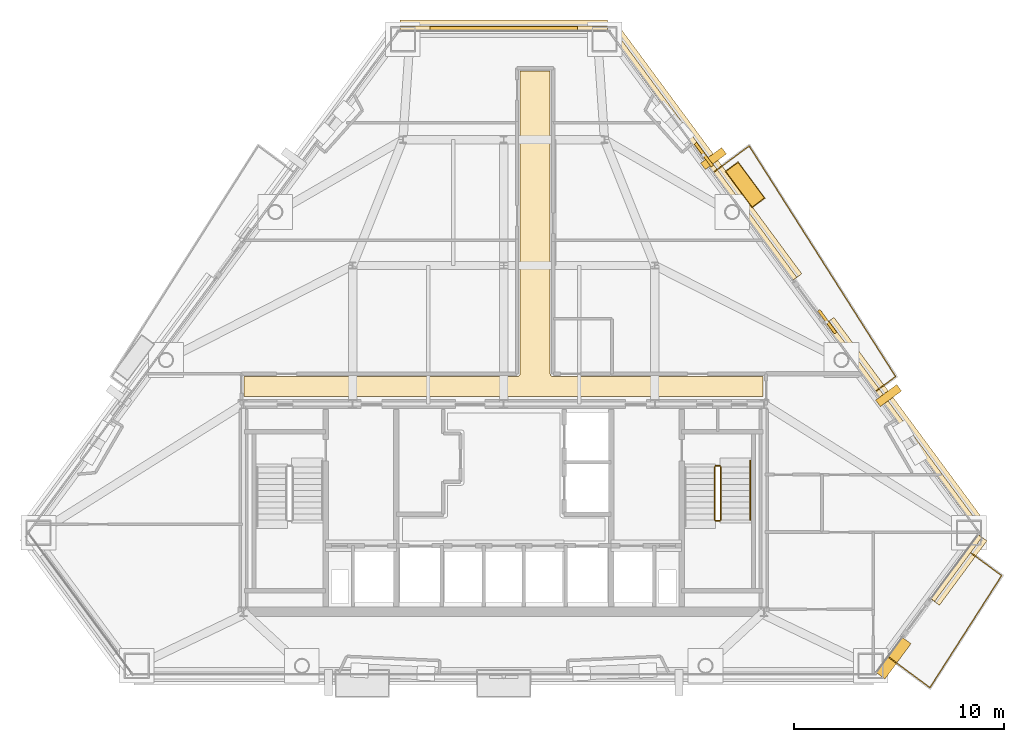
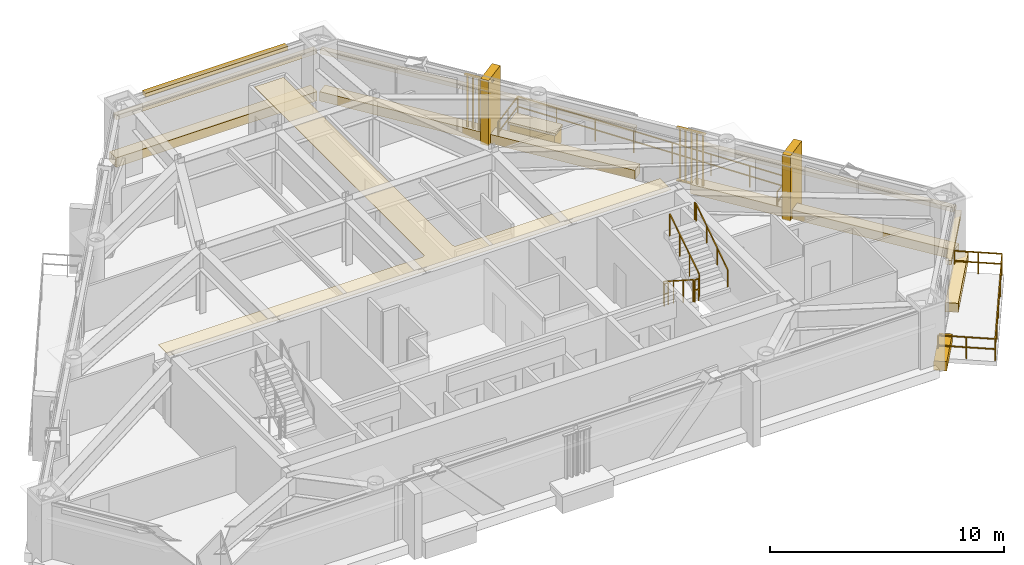
# One storey, part 11 of 11: 14 coverings, 7 railings, 3 shading devices.
"""IFC4 building model written with IfcOpenShell, lengths in metres."""

from ifc_helpers import new_model, si_unit, direction, frame, origin, origin_2d, place, context, subcontext, project, spatial, polyline, rectangle, outline, extrude, source, transform, mapped, material, layer, layer_set, type_object, type_shapes, element, save


model = new_model("IFC4")

# Units and contexts
model_context = context("Model", 3, precision=1e-05, world=origin(), true_north=direction((0.0, 1.0)))
body_context = subcontext(model_context, "Body", "Model", "MODEL_VIEW")
ifc_project = project(units=[si_unit("LENGTHUNIT", "METRE"), si_unit("AREAUNIT", "SQUARE_METRE"), si_unit("VOLUMEUNIT", "CUBIC_METRE"), si_unit("PLANEANGLEUNIT", "RADIAN"), si_unit("MASSUNIT", "GRAM", prefix="KILO")], contexts=[model_context])

# Site, building, storey
site_placement = place(None, origin())
site = spatial("IfcSite", under=ifc_project, at=site_placement, CompositionType="ELEMENT")
building_placement = place(site_placement, origin())
building = spatial("IfcBuilding", under=site, at=building_placement, Name="Talgorran Terracotta Tower", CompositionType="ELEMENT")
storey_placement = place(building_placement, frame((0.0, 0.0, 154.5)))
storey = spatial("IfcBuildingStorey", under=building, at=storey_placement, Name="L40", CompositionType="ELEMENT", Elevation=154.5)

# Coverings
ifc_material_1 = material(Name="Kiln-Fired Terracotta Ochre Ceramic", Category="masonry")
ifc_layer_1 = layer(ifc_material_1, 0.179931640625, Name="COV_BAGUETTE_TERRACOTTA_SCREEN")
ifc_layer_set_1 = layer_set([ifc_layer_1], Name="Kiln-Fired Terracotta Ochre Ceramic")
covering_type_1 = type_object("IfcCoveringType", Name="COV_BAGUETTE_TERRACOTTA_SCREEN", PredefinedType="CLADDING", material=ifc_layer_set_1)
covering_1_placement = place(storey_placement, frame((21.553955078125, -12.00439453125, 2.41015625), z_axis=(0.0, 0.0, 1.0), x_axis=(0.594078945078, 0.804406742274, 0.0)))
element("IfcCovering", 1, at=covering_1_placement, inside=storey, type_object=covering_type_1, Name="L40 Terracotta Baguette Solar Screen Assembly F31", PredefinedType="CLADDING", context=body_context, shape_type="SweptSolid", body=[
    extrude(rectangle(XDim=3.79248046875, YDim=0.260009765625, at=origin_2d()), origin(), (0.0, 0.0, 1.0), 0.219970703125),
])
covering_2_placement = place(storey_placement, frame((19.041748046875, -5.256103515625, 2.41015625), z_axis=(0.0, 0.0, 1.0), x_axis=(-0.594078945078, 0.804406742274, 0.0)))
element("IfcCovering", 2, at=covering_2_placement, inside=storey, type_object=covering_type_1, Name="L40 Terracotta Baguette Solar Screen Assembly F40", PredefinedType="CLADDING", context=body_context, shape_type="SweptSolid", body=[
    extrude(rectangle(XDim=12.25048828125, YDim=0.260009765625, at=origin_2d()), origin(), (0.0, 0.0, 1.0), 0.219970703125),
])
covering_3_placement = place(storey_placement, frame((9.506103515625, 7.65576171875, 2.41015625), z_axis=(0.0, 0.0, 1.0), x_axis=(-0.594078945078, 0.804406742274, 0.0)))
element("IfcCovering", 3, at=covering_3_placement, inside=storey, type_object=covering_type_1, Name="L40 Terracotta Baguette Solar Screen Assembly F41", PredefinedType="CLADDING", context=body_context, shape_type="SweptSolid", body=[
    extrude(rectangle(XDim=14.652099609375, YDim=0.260009765625, at=origin_2d()), origin(), (0.0, 0.0, 1.0), 0.219970703125),
])
covering_4_placement = place(storey_placement, frame((0.0, 13.677978515625, 2.41015625), z_axis=(0.0, 0.0, 1.0), x_axis=(-1.0, 0.0, 0.0)))
element("IfcCovering", 4, at=covering_4_placement, inside=storey, type_object=covering_type_1, Name="L40 Terracotta Baguette Solar Screen Assembly F4", PredefinedType="CLADDING", context=body_context, shape_type="SweptSolid", body=[
    extrude(rectangle(XDim=9.8759765625, YDim=0.260009765625, at=origin_2d()), origin(), (0.0, 0.0, 1.0), 0.219970703125),
])
ifc_material_2 = material(Name="Mineral Fibre Acoustic Tile")
ifc_layer_2 = layer(ifc_material_2, 0.02490234375, Name="COV_CEIL_ACOUSTIC")
ifc_layer_set_2 = layer_set([ifc_layer_2], Name="Mineral Fibre Acoustic Tile")
covering_type_2 = type_object("IfcCoveringType", Name="COV_CEIL_ACOUSTIC", PredefinedType="CEILING", material=ifc_layer_set_2)
covering_5_placement = place(storey_placement, frame((0.0, 0.0, 3.260009765625)))
element("IfcCovering", 5, at=covering_5_placement, inside=storey, type_object=covering_type_2, Name="CEIL-L40-2", PredefinedType="CEILING", context=body_context, shape_type="SweptSolid", body=[
    extrude(outline(polyline([(-12.364990234375, -2.885009765625), (0.64990234375, -2.885009765625), (0.66162109375, -2.884521484375), (0.67333984375, -2.8828125), (0.6845703125, -2.8798828125), (0.69287109375, -2.87744140625), (0.7041015625, -2.87353515625), (0.714599609375, -2.868408203125), (0.724853515625, -2.8623046875), (0.734375, -2.85546875), (0.742919921875, -2.847412109375), (0.7509765625, -2.8388671875), (0.756591796875, -2.83203125), (0.763671875, -2.822509765625), (0.769775390625, -2.8125), (0.774658203125, -2.8017578125), (0.77880859375, -2.79052734375), (0.781494140625, -2.779296875), (0.783203125, -2.767578125), (0.783935546875, -2.755615234375), (0.784912109375, 11.6650390625), (2.215087890625, 11.6650390625), (2.215087890625, -2.75), (2.215576171875, -2.76171875), (2.21728515625, -2.773193359375), (2.22021484375, -2.78466796875), (2.22265625, -2.79296875), (2.2265625, -2.803955078125), (2.231689453125, -2.814697265625), (2.237548828125, -2.82470703125), (2.24462890625, -2.834228515625), (2.25244140625, -2.843017578125), (2.26123046875, -2.850830078125), (2.26806640625, -2.8564453125), (2.277587890625, -2.863525390625), (2.28759765625, -2.86962890625), (2.29833984375, -2.874755859375), (2.309326171875, -2.878662109375), (2.32080078125, -2.881591796875), (2.33251953125, -2.88330078125), (2.34423828125, -2.8837890625), (12.364990234375, -2.885009765625), (12.364990234375, -3.830078125), (12.169921875, -3.830078125), (12.158203125, -3.83056640625), (12.146484375, -3.832275390625), (12.13525390625, -3.835205078125), (12.1240234375, -3.839111328125), (12.11328125, -3.84423828125), (12.112060546875, -3.844970703125), (7.432861328125, -3.844970703125), (6.968017578125, -3.843017578125), (6.967529296875, -3.843017578125), (0.232666015625, -3.844970703125), (-0.23193359375, -3.843017578125), (-0.232421875, -3.843017578125), (-6.96728515625, -3.844970703125), (-7.431884765625, -3.843017578125), (-7.4326171875, -3.843017578125), (-12.112060546875, -3.844970703125), (-12.11328125, -3.84423828125), (-12.1240234375, -3.839111328125), (-12.13525390625, -3.835205078125), (-12.146484375, -3.832275390625), (-12.158203125, -3.83056640625), (-12.169921875, -3.830078125), (-12.364990234375, -3.830078125), (-12.364990234375, -2.885009765625)])), origin(), (0.0, 0.0, 1.0), 0.02001953125),
])
ifc_material_3 = material(Name="Honed Limestone and Terracotta Planter", Category="masonry")
ifc_layer_3 = layer(ifc_material_3, 0.1201171875, Name="COV_PLANTER_BOX")
ifc_layer_set_3 = layer_set([ifc_layer_3], Name="Honed Limestone and Terracotta Planter")
covering_type_3 = type_object("IfcCoveringType", Name="COV_PLANTER_BOX", PredefinedType="CLADDING", material=ifc_layer_set_3)
covering_6_placement = place(storey_placement, frame((11.502197265625, 6.248779296875, -0.02001953125), z_axis=(0.0, 0.0, 1.0), x_axis=(-0.594078945078, 0.804406742274, 0.0)))
element("IfcCovering", 6, at=covering_6_placement, inside=storey, type_object=covering_type_3, Name="L40 Staggered Balcony Planter Box BAL-NE", PredefinedType="CLADDING", context=body_context, shape_type="SweptSolid", body=[
    extrude(rectangle(XDim=2.10009765625, YDim=0.719970703125, at=origin_2d()), origin(), (0.0, 0.0, 1.0), 0.860107421875),
])
ifc_material_4 = material(Name="Kiln-Fired Terracotta Planter Rim", Category="masonry")
ifc_layer_4 = layer(ifc_material_4, 0.10009765625, Name="COV_PLANTER_RIM")
ifc_layer_set_4 = layer_set([ifc_layer_4], Name="Kiln-Fired Terracotta Planter Rim")
covering_type_4 = type_object("IfcCoveringType", Name="COV_PLANTER_RIM", PredefinedType="CLADDING", material=ifc_layer_set_4)
covering_7_placement = place(storey_placement, frame((11.502197265625, 6.248779296875, 0.800048828125), z_axis=(0.0, 0.0, 1.0), x_axis=(-0.594078945078, 0.804406742274, 0.0)))
element("IfcCovering", 7, at=covering_7_placement, inside=storey, type_object=covering_type_4, Name="L40 Balcony Planter Terracotta Rim BAL-NE", PredefinedType="CLADDING", context=body_context, shape_type="SweptSolid", body=[
    extrude(rectangle(XDim=2.179931640625, YDim=0.780029296875, at=origin_2d()), origin(), (0.0, 0.0, 1.0), 0.1201171875),
])
ifc_material_5 = material(Name="Honed Limestone Cladding", Category="masonry")
ifc_layer_5 = layer(ifc_material_5, 0.094970703125, Name="COV_PORTAL_LIME")
ifc_layer_set_5 = layer_set([ifc_layer_5], Name="Honed Limestone Cladding")
covering_type_5 = type_object("IfcCoveringType", Name="COV_PORTAL_LIME", PredefinedType="CLADDING", material=ifc_layer_set_5)
covering_8_placement = place(storey_placement, frame((18.558837890625, -16.2958984375, -0.0400390625), z_axis=(0.0, 0.0, 1.0), x_axis=(0.594064905441, 0.804417110785, 0.0)))
element("IfcCovering", 8, at=covering_8_placement, inside=storey, type_object=covering_type_5, Name="L40 Striped Postmodern Portal Cladding Band F30", PredefinedType="CLADDING", context=body_context, shape_type="SweptSolid", body=[
    extrude(rectangle(XDim=2.090087890625, YDim=0.56005859375, at=origin_2d()), origin(), (0.0, 0.0, 1.0), 0.47998046875),
])
covering_9_placement = place(storey_placement, frame((21.66650390625, -12.087646484375, -0.0400390625), z_axis=(0.0, 0.0, 1.0), x_axis=(0.594078945078, 0.804406742274, 0.0)))
element("IfcCovering", 9, at=covering_9_placement, inside=storey, type_object=covering_type_5, Name="L40 Striped Postmodern Portal Cladding Band F31", PredefinedType="CLADDING", context=body_context, shape_type="SweptSolid", body=[
    extrude(rectangle(XDim=3.8125, YDim=0.56005859375, at=origin_2d()), origin(), (0.0, 0.0, 1.0), 0.47998046875),
])
covering_10_placement = place(storey_placement, frame((19.154296875, -5.1728515625, -0.0400390625), z_axis=(0.0, 0.0, 1.0), x_axis=(-0.594078945078, 0.804406742274, 0.0)))
element("IfcCovering", 10, at=covering_10_placement, inside=storey, type_object=covering_type_5, Name="L40 Striped Postmodern Portal Cladding Band F40", PredefinedType="CLADDING", context=body_context, shape_type="SweptSolid", body=[
    extrude(rectangle(XDim=12.2705078125, YDim=0.56005859375, at=origin_2d()), origin(), (0.0, 0.0, 1.0), 0.47998046875),
])
covering_11_placement = place(storey_placement, frame((9.61865234375, 7.73876953125, -0.0400390625), z_axis=(0.0, 0.0, 1.0), x_axis=(-0.594078945078, 0.804406742274, 0.0)))
element("IfcCovering", 11, at=covering_11_placement, inside=storey, type_object=covering_type_5, Name="L40 Striped Postmodern Portal Cladding Band F41", PredefinedType="CLADDING", context=body_context, shape_type="SweptSolid", body=[
    extrude(rectangle(XDim=14.672119140625, YDim=0.56005859375, at=origin_2d()), origin(), (0.0, 0.0, 1.0), 0.47998046875),
])
covering_12_placement = place(storey_placement, frame((0.0, 13.81787109375, -0.0400390625), z_axis=(0.0, 0.0, 1.0), x_axis=(-1.0, 0.0, 0.0)))
element("IfcCovering", 12, at=covering_12_placement, inside=storey, type_object=covering_type_5, Name="L40 Striped Postmodern Portal Cladding Band F4", PredefinedType="CLADDING", context=body_context, shape_type="SweptSolid", body=[
    extrude(rectangle(XDim=9.89599609375, YDim=0.56005859375, at=origin_2d()), origin(), (0.0, 0.0, 1.0), 0.47998046875),
])
covering_13_placement = place(storey_placement, frame((9.99658203125, 7.49658203125, -0.050048828125), z_axis=(0.0, 0.0, 1.0), x_axis=(-0.594078945078, 0.804406742274, 0.0)))
element("IfcCovering", 13, at=covering_13_placement, inside=storey, type_object=covering_type_5, Name="L40 White Striped Portal Fin F3-2", PredefinedType="CLADDING", context=body_context, shape_type="SweptSolid", body=[
    extrude(rectangle(XDim=0.3798828125, YDim=1.25, at=origin_2d()), origin(), (0.0, 0.0, 1.0), 3.39990234375),
])
ifc_material_6 = material(Name="Kiln-Fired Terracotta Cladding", Category="masonry")
ifc_layer_6 = layer(ifc_material_6, 0.090087890625, Name="COV_PORTAL_TERRA")
ifc_layer_set_6 = layer_set([ifc_layer_6], Name="Kiln-Fired Terracotta Cladding")
covering_type_6 = type_object("IfcCoveringType", Name="COV_PORTAL_TERRA", PredefinedType="CLADDING", material=ifc_layer_set_6)
covering_14_placement = place(storey_placement, frame((18.337158203125, -3.797119140625, -0.050048828125), z_axis=(0.0, 0.0, 1.0), x_axis=(-0.594078945078, 0.804406742274, 0.0)))
element("IfcCovering", 14, at=covering_14_placement, inside=storey, type_object=covering_type_6, Name="L40 Terracotta Striped Portal Fin F3-1", PredefinedType="CLADDING", context=body_context, shape_type="SweptSolid", body=[
    extrude(rectangle(XDim=0.3798828125, YDim=1.25, at=origin_2d()), origin(), (0.0, 0.0, 1.0), 3.39990234375),
])

# Railings
ifc_material_7 = material(Name="Laminated Glass and Stainless Steel 316", Category="steel")
railing_type_1 = type_object("IfcRailingType", Name="RL_BALCONY_1150", PredefinedType="BALUSTRADE", material=ifc_material_7)
railing_1_placement = place(storey_placement, frame((17.7177734375, -3.59814453125, 0.0)))
element("IfcRailing", 15, at=railing_1_placement, inside=storey, type_object=railing_type_1, Name="RL-L40-BAL-BAL-NE", PredefinedType="BALUSTRADE", context=body_context, shape_type="SweptSolid", body=[
    extrude(rectangle(XDim=0.048095703125, YDim=0.048095703125, at=origin_2d()), frame((0.0, 0.0, 1.1259765625), z_axis=(0.804419661049, 0.59406145214, 0.0), x_axis=(-0.59406145214, 0.804419661049, 0.0)), (0.0, 0.0, 1.0), 1.187255859375),
    extrude(rectangle(XDim=0.048095703125, YDim=0.048095703125, at=origin_2d()), frame((0.0, 0.0, 0.597900390625), z_axis=(0.804419661049, 0.59406145214, 0.0), x_axis=(-0.59406145214, 0.804419661049, 0.0)), (0.0, 0.0, 1.0), 1.187255859375),
    extrude(rectangle(XDim=0.048095703125, YDim=0.048095703125, at=origin_2d()), frame((0.955078125, 0.705322265625, 1.1259765625), z_axis=(-0.536023202256, 0.844203249605, 0.0), x_axis=(-0.844203249605, -0.536023202256, 0.0)), (0.0, 0.0, 1.0), 13.015869140625),
    extrude(rectangle(XDim=0.048095703125, YDim=0.048095703125, at=origin_2d()), frame((0.955078125, 0.705322265625, 0.597900390625), z_axis=(-0.536023202256, 0.844203249605, 0.0), x_axis=(-0.844203249605, -0.536023202256, 0.0)), (0.0, 0.0, 1.0), 13.015869140625),
    extrude(rectangle(XDim=0.048095703125, YDim=0.048095703125, at=origin_2d()), frame((-6.021728515625, 11.693359375, 1.1259765625), z_axis=(-0.804381194966, -0.594113535601, 0.0), x_axis=(0.594113535601, -0.804381194966, 0.0)), (0.0, 0.0, 1.0), 2.102783203125),
    extrude(rectangle(XDim=0.048095703125, YDim=0.048095703125, at=origin_2d()), frame((-6.021728515625, 11.693359375, 0.597900390625), z_axis=(-0.804381194966, -0.594113535601, 0.0), x_axis=(0.594113535601, -0.804381194966, 0.0)), (0.0, 0.0, 1.0), 2.102783203125),
    extrude(rectangle(XDim=0.0419921875, YDim=0.0419921875, at=origin_2d()), origin(), (0.0, 0.0, 1.0), 1.101806640625),
    extrude(rectangle(XDim=0.0419921875, YDim=0.0419921875, at=origin_2d()), frame((0.955078125, 0.705322265625, 0.0)), (0.0, 0.0, 1.0), 1.101806640625),
    extrude(rectangle(XDim=0.0419921875, YDim=0.0419921875, at=origin_2d()), frame((-0.04150390625, 2.275146484375, 0.0)), (0.0, 0.0, 1.0), 1.101806640625),
    extrude(rectangle(XDim=0.0419921875, YDim=0.0419921875, at=origin_2d()), frame((-1.038330078125, 3.8447265625, 0.0)), (0.0, 0.0, 1.0), 1.101806640625),
    extrude(rectangle(XDim=0.0419921875, YDim=0.0419921875, at=origin_2d()), frame((-2.034912109375, 5.41455078125, 0.0)), (0.0, 0.0, 1.0), 1.101806640625),
    extrude(rectangle(XDim=0.0419921875, YDim=0.0419921875, at=origin_2d()), frame((-3.03173828125, 6.984130859375, 0.0)), (0.0, 0.0, 1.0), 1.101806640625),
    extrude(rectangle(XDim=0.0419921875, YDim=0.0419921875, at=origin_2d()), frame((-4.0283203125, 8.553955078125, 0.0)), (0.0, 0.0, 1.0), 1.101806640625),
    extrude(rectangle(XDim=0.0419921875, YDim=0.0419921875, at=origin_2d()), frame((-5.025146484375, 10.12353515625, 0.0)), (0.0, 0.0, 1.0), 1.101806640625),
    extrude(rectangle(XDim=0.0419921875, YDim=0.0419921875, at=origin_2d()), frame((-6.021728515625, 11.693359375, 0.0)), (0.0, 0.0, 1.0), 1.101806640625),
    extrude(rectangle(XDim=0.0419921875, YDim=0.0419921875, at=origin_2d()), frame((-6.867431640625, 11.06884765625, 0.0)), (0.0, 0.0, 1.0), 1.101806640625),
    extrude(rectangle(XDim=0.0419921875, YDim=0.0419921875, at=origin_2d()), frame((-7.713134765625, 10.444091796875, 0.0)), (0.0, 0.0, 1.0), 1.101806640625),
])
railing_2_placement = place(storey_placement, frame((18.3212890625, -16.2470703125, 0.0)))
element("IfcRailing", 16, at=railing_2_placement, inside=storey, type_object=railing_type_1, Name="RL-L40-BAL-BAL-SE", PredefinedType="BALUSTRADE", context=body_context, shape_type="SweptSolid", body=[
    extrude(rectangle(XDim=0.048095703125, YDim=0.048095703125, at=origin_2d()), frame((0.0, 0.0, 1.1259765625), z_axis=(0.804426725684, -0.594051885785, 0.0), x_axis=(0.594051885785, 0.804426725684, 0.0)), (0.0, 0.0, 1.0), 2.469482421875),
    extrude(rectangle(XDim=0.048095703125, YDim=0.048095703125, at=origin_2d()), frame((0.0, 0.0, 0.597900390625), z_axis=(0.804426725684, -0.594051885785, 0.0), x_axis=(0.594051885785, 0.804426725684, 0.0)), (0.0, 0.0, 1.0), 2.469482421875),
    extrude(rectangle(XDim=0.048095703125, YDim=0.048095703125, at=origin_2d()), frame((1.986572265625, -1.467041015625, 1.1259765625), z_axis=(0.539129111568, 0.84222313021, 0.0), x_axis=(-0.84222313021, 0.539129111568, 0.0)), (0.0, 0.0, 1.0), 6.33837890625),
    extrude(rectangle(XDim=0.048095703125, YDim=0.048095703125, at=origin_2d()), frame((1.986572265625, -1.467041015625, 0.597900390625), z_axis=(0.539129111568, 0.84222313021, 0.0), x_axis=(-0.84222313021, 0.539129111568, 0.0)), (0.0, 0.0, 1.0), 6.33837890625),
    extrude(rectangle(XDim=0.048095703125, YDim=0.048095703125, at=origin_2d()), frame((5.40380859375, 3.871337890625, 1.1259765625), z_axis=(-0.804386789669, 0.594105960756, 0.0), x_axis=(-0.594105960756, -0.804386789669, 0.0)), (0.0, 0.0, 1.0), 2.046875),
    extrude(rectangle(XDim=0.048095703125, YDim=0.048095703125, at=origin_2d()), frame((5.40380859375, 3.871337890625, 0.597900390625), z_axis=(-0.804386789669, 0.594105960756, 0.0), x_axis=(-0.594105960756, -0.804386789669, 0.0)), (0.0, 0.0, 1.0), 2.046875),
    extrude(rectangle(XDim=0.0419921875, YDim=0.0419921875, at=origin_2d()), origin(), (0.0, 0.0, 1.0), 1.101806640625),
    extrude(rectangle(XDim=0.0419921875, YDim=0.0419921875, at=origin_2d()), frame((0.9931640625, -0.7333984375, 0.0)), (0.0, 0.0, 1.0), 1.101806640625),
    extrude(rectangle(XDim=0.0419921875, YDim=0.0419921875, at=origin_2d()), frame((1.986572265625, -1.467041015625, 0.0)), (0.0, 0.0, 1.0), 1.101806640625),
    extrude(rectangle(XDim=0.0419921875, YDim=0.0419921875, at=origin_2d()), frame((2.8408203125, -0.13232421875, 0.0)), (0.0, 0.0, 1.0), 1.101806640625),
    extrude(rectangle(XDim=0.0419921875, YDim=0.0419921875, at=origin_2d()), frame((3.6953125, 1.2021484375, 0.0)), (0.0, 0.0, 1.0), 1.101806640625),
    extrude(rectangle(XDim=0.0419921875, YDim=0.0419921875, at=origin_2d()), frame((4.549560546875, 2.53662109375, 0.0)), (0.0, 0.0, 1.0), 1.101806640625),
    extrude(rectangle(XDim=0.0419921875, YDim=0.0419921875, at=origin_2d()), frame((5.40380859375, 3.871337890625, 0.0)), (0.0, 0.0, 1.0), 1.101806640625),
    extrude(rectangle(XDim=0.0419921875, YDim=0.0419921875, at=origin_2d()), frame((4.58056640625, 4.4794921875, 0.0)), (0.0, 0.0, 1.0), 1.101806640625),
    extrude(rectangle(XDim=0.0419921875, YDim=0.0419921875, at=origin_2d()), frame((3.75732421875, 5.08740234375, 0.0)), (0.0, 0.0, 1.0), 1.101806640625),
])
ifc_material_8 = material(Name="Steel S355 (300PLUS)", Category="steel")
railing_type_2 = type_object("IfcRailingType", Name="RL_HANDRAIL_920", PredefinedType="HANDRAIL", material=ifc_material_8)
railing_3_placement = place(storey_placement, frame((11.75, -9.719970703125, 1.97998046875)))
element("IfcRailing", 17, at=railing_3_placement, inside=storey, type_object=railing_type_2, Name="L40 ST-02 stair handrail 2", PredefinedType="HANDRAIL", context=body_context, shape_type="SweptSolid", body=[
    extrude(rectangle(XDim=0.048095703125, YDim=0.048095703125, at=origin_2d()), frame((0.0, 0.0, 0.89599609375), z_axis=(0.0, 0.832038719335, 0.554717558338), x_axis=(-1.0, 0.0, 0.0)), (0.0, 0.0, 1.0), 3.244873046875),
    extrude(rectangle(XDim=0.048095703125, YDim=0.048095703125, at=origin_2d()), frame((0.0, 2.699951171875, 2.69580078125), z_axis=(0.0, 1.0, 0.0), x_axis=(-1.0, 0.0, 0.0)), (0.0, 0.0, 1.0), 0.1201171875),
    extrude(rectangle(XDim=0.0419921875, YDim=0.0419921875, at=origin_2d()), origin(), (0.0, 0.0, 1.0), 0.871826171875),
    extrude(rectangle(XDim=0.0419921875, YDim=0.0419921875, at=origin_2d()), frame((0.0, 0.89990234375, 0.60009765625)), (0.0, 0.0, 1.0), 0.871826171875),
    extrude(rectangle(XDim=0.0419921875, YDim=0.0419921875, at=origin_2d()), frame((0.0, 1.800048828125, 1.199951171875)), (0.0, 0.0, 1.0), 0.871826171875),
    extrude(rectangle(XDim=0.0419921875, YDim=0.0419921875, at=origin_2d()), frame((0.0, 2.699951171875, 1.800048828125)), (0.0, 0.0, 1.0), 0.871826171875),
    extrude(rectangle(XDim=0.0419921875, YDim=0.0419921875, at=origin_2d()), frame((0.0, 2.820068359375, 1.800048828125)), (0.0, 0.0, 1.0), 0.871826171875),
])
railing_type_3 = type_object("IfcRailingType", Name="RL_STAIR_GUARD", PredefinedType="GUARDRAIL", material=ifc_material_8)
railing_4_placement = place(storey_placement, frame((10.050048828125, -7.199951171875, 0.179931640625)))
element("IfcRailing", 18, at=railing_4_placement, inside=storey, type_object=railing_type_3, Name="L40 ST-02 stair guard 1", PredefinedType="GUARDRAIL", context=body_context, shape_type="SweptSolid", body=[
    extrude(rectangle(XDim=0.048095703125, YDim=0.048095703125, at=origin_2d()), frame((0.0, 0.0, 1.15576171875), z_axis=(0.0, -0.841162588446, 0.540782303519), x_axis=(1.0, 0.0, 0.0)), (0.0, 0.0, 1.0), 2.995849609375),
    extrude(rectangle(XDim=0.0419921875, YDim=0.0419921875, at=origin_2d()), origin(), (0.0, 0.0, 1.0), 1.1318359375),
    extrude(rectangle(XDim=0.0419921875, YDim=0.0419921875, at=origin_2d()), frame((0.0, -0.840087890625, 0.5400390625)), (0.0, 0.0, 1.0), 1.1318359375),
    extrude(rectangle(XDim=0.0419921875, YDim=0.0419921875, at=origin_2d()), frame((0.0, -1.679931640625, 1.080078125)), (0.0, 0.0, 1.0), 1.1318359375),
    extrude(rectangle(XDim=0.0419921875, YDim=0.0419921875, at=origin_2d()), frame((0.0, -2.52001953125, 1.6201171875)), (0.0, 0.0, 1.0), 1.1318359375),
])
railing_5_placement = place(storey_placement, frame((10.10009765625, -9.77001953125, 1.800048828125)))
element("IfcRailing", 19, at=railing_5_placement, inside=storey, type_object=railing_type_3, Name="L40 ST-02 stair guard 2", PredefinedType="GUARDRAIL", context=body_context, shape_type="SweptSolid", body=[
    extrude(rectangle(XDim=0.048095703125, YDim=0.048095703125, at=origin_2d()), frame((0.0, 0.0, 1.15576171875), z_axis=(1.0, 0.0, 0.0), x_axis=(0.0, 1.0, 0.0)), (0.0, 0.0, 1.0), 0.199951171875),
    extrude(rectangle(XDim=0.048095703125, YDim=0.048095703125, at=origin_2d()), frame((0.0, 0.0, 0.613525390625), z_axis=(1.0, 0.0, 0.0), x_axis=(0.0, 1.0, 0.0)), (0.0, 0.0, 1.0), 0.199951171875),
    extrude(rectangle(XDim=0.0419921875, YDim=0.0419921875, at=origin_2d()), origin(), (0.0, 0.0, 1.0), 1.1318359375),
    extrude(rectangle(XDim=0.0419921875, YDim=0.0419921875, at=origin_2d()), frame((0.199951171875, 0.0, 0.0)), (0.0, 0.0, 1.0), 1.1318359375),
])
railing_6_placement = place(storey_placement, frame((10.35009765625, -9.719970703125, 1.97998046875)))
element("IfcRailing", 20, at=railing_6_placement, inside=storey, type_object=railing_type_3, Name="L40 ST-02 stair guard 3", PredefinedType="GUARDRAIL", context=body_context, shape_type="SweptSolid", body=[
    extrude(rectangle(XDim=0.048095703125, YDim=0.048095703125, at=origin_2d()), frame((0.0, 0.0, 1.15576171875), z_axis=(0.0, 0.841162588446, 0.540782303519), x_axis=(-1.0, 0.0, 0.0)), (0.0, 0.0, 1.0), 2.995849609375),
    extrude(rectangle(XDim=0.0419921875, YDim=0.0419921875, at=origin_2d()), origin(), (0.0, 0.0, 1.0), 1.1318359375),
    extrude(rectangle(XDim=0.0419921875, YDim=0.0419921875, at=origin_2d()), frame((0.0, 0.840087890625, 0.5400390625)), (0.0, 0.0, 1.0), 1.1318359375),
    extrude(rectangle(XDim=0.0419921875, YDim=0.0419921875, at=origin_2d()), frame((0.0, 1.679931640625, 1.080078125)), (0.0, 0.0, 1.0), 1.1318359375),
    extrude(rectangle(XDim=0.0419921875, YDim=0.0419921875, at=origin_2d()), frame((0.0, 2.52001953125, 1.6201171875)), (0.0, 0.0, 1.0), 1.1318359375),
])
railing_7_placement = place(storey_placement, frame((10.10009765625, -7.14990234375, 0.0)))
element("IfcRailing", 21, at=railing_7_placement, inside=storey, type_object=railing_type_3, Name="L40 ST-02 stair guard 4", PredefinedType="GUARDRAIL", context=body_context, shape_type="SweptSolid", body=[
    extrude(rectangle(XDim=0.048095703125, YDim=0.048095703125, at=origin_2d()), frame((0.0, 0.0, 1.15576171875), z_axis=(1.0, 0.0, 0.0), x_axis=(0.0, 1.0, 0.0)), (0.0, 0.0, 1.0), 0.199951171875),
    extrude(rectangle(XDim=0.048095703125, YDim=0.048095703125, at=origin_2d()), frame((0.0, 0.0, 0.613525390625), z_axis=(1.0, 0.0, 0.0), x_axis=(0.0, 1.0, 0.0)), (0.0, 0.0, 1.0), 0.199951171875),
    extrude(rectangle(XDim=0.0419921875, YDim=0.0419921875, at=origin_2d()), origin(), (0.0, 0.0, 1.0), 1.1318359375),
    extrude(rectangle(XDim=0.0419921875, YDim=0.0419921875, at=origin_2d()), frame((0.199951171875, 0.0, 0.0)), (0.0, 0.0, 1.0), 1.1318359375),
])

# Shading devices
ifc_material_9 = material(Name="Kiln-Fired Terracotta", Category="masonry")
ifc_layer_7 = layer(ifc_material_9, 0.139892578125, Name="SHD_BAGUETTE_TERRA")
ifc_layer_set_7 = layer_set([ifc_layer_7], Name="Kiln-Fired Terracotta")
shading_device_type_1 = type_object("IfcShadingDeviceType", Name="SHD_BAGUETTE_TERRA", PredefinedType="JALOUSIE", material=ifc_layer_set_7)
shared_shape_1 = source(origin(), body_context, "Body", "SweptSolid", [
    extrude(rectangle(XDim=1.35009765625, YDim=0.139892578125, at=origin_2d()), origin(), (0.0, 0.0, 1.0), 0.054931640625),
    extrude(rectangle(XDim=1.35009765625, YDim=0.139892578125, at=origin_2d()), frame((0.0, 0.0, 2.7451171875)), (0.0, 0.0, 1.0), 0.054931640625),
    extrude(rectangle(XDim=0.074951171875, YDim=0.139892578125, at=origin_2d()), frame((-0.53515625, 0.0, 0.054931640625), z_axis=(0.0, 0.0, 1.0), x_axis=(0.866025403784, 0.5, 0.0)), (0.0, 0.0, 1.0), 2.690185546875),
    extrude(rectangle(XDim=0.074951171875, YDim=0.139892578125, at=origin_2d()), frame((-0.267578125, 0.0, 0.054931640625), z_axis=(0.0, 0.0, 1.0), x_axis=(0.866025403784, 0.5, 0.0)), (0.0, 0.0, 1.0), 2.690185546875),
    extrude(rectangle(XDim=0.074951171875, YDim=0.139892578125, at=origin_2d()), frame((0.0, 0.0, 0.054931640625), z_axis=(0.0, 0.0, 1.0), x_axis=(0.866025403784, 0.5, 0.0)), (0.0, 0.0, 1.0), 2.690185546875),
    extrude(rectangle(XDim=0.074951171875, YDim=0.139892578125, at=origin_2d()), frame((0.267578125, 0.0, 0.054931640625), z_axis=(0.0, 0.0, 1.0), x_axis=(0.866025403784, 0.5, 0.0)), (0.0, 0.0, 1.0), 2.690185546875),
    extrude(rectangle(XDim=0.074951171875, YDim=0.139892578125, at=origin_2d()), frame((0.53515625, 0.0, 0.054931640625), z_axis=(0.0, 0.0, 1.0), x_axis=(0.866025403784, 0.5, 0.0)), (0.0, 0.0, 1.0), 2.690185546875),
])
type_shapes(shading_device_type_1, [shared_shape_1])
for number, where, z_axis, x_axis, name in (
    (22, (15.41259765625, -0.27490234375, 0.35009765625), (0.0, 0.0, 1.0), (-0.594078945078, 0.804406742274, 0.0), "BAG-L40-F40"),
    (23, (9.5380859375, 7.679443359375, 0.35009765625), (0.0, 0.0, 1.0), (-0.594078945078, 0.804406742274, 0.0), "BAG-L40-F41"),
):
    element("IfcShadingDevice", number, at=place(storey_placement, frame(where, z_axis=z_axis, x_axis=x_axis)), inside=storey, type_object=shading_device_type_1, Name=name, PredefinedType="JALOUSIE", context=body_context, shape_type="MappedRepresentation", body=[
        mapped(shared_shape_1, transform((0.0, 0.0, 0.0), scale=1.0)),
    ])
ifc_layer_8 = layer(ifc_material_9, 0.280029296875, Name="SHD_SUNSHADE_TERRA")
ifc_layer_set_8 = layer_set([ifc_layer_8], Name="Kiln-Fired Terracotta")
shading_device_type_2 = type_object("IfcShadingDeviceType", Name="SHD_SUNSHADE_TERRA", PredefinedType="AWNING", material=ifc_layer_set_8)
shared_shape_2 = source(origin(), body_context, "Body", "SweptSolid", [
    extrude(rectangle(XDim=7.01123046875, YDim=0.280029296875, at=origin_2d()), origin(), (0.0, 0.0, 1.0), 0.199951171875),
])
type_shapes(shading_device_type_2, [shared_shape_2])
shading_device_placement = place(storey_placement, frame((0.0, 13.657958984375, 3.10986328125), z_axis=(0.0, 0.0, 1.0), x_axis=(-1.0, 0.0, 0.0)))
element("IfcShadingDevice", 24, at=shading_device_placement, inside=storey, type_object=shading_device_type_2, Name="SHD-BROW-L40-F4", PredefinedType="AWNING", context=body_context, shape_type="MappedRepresentation", body=[
    mapped(shared_shape_2, transform((0.0, 0.0, 0.0), scale=1.0)),
])

save(model, "model.ifc")
